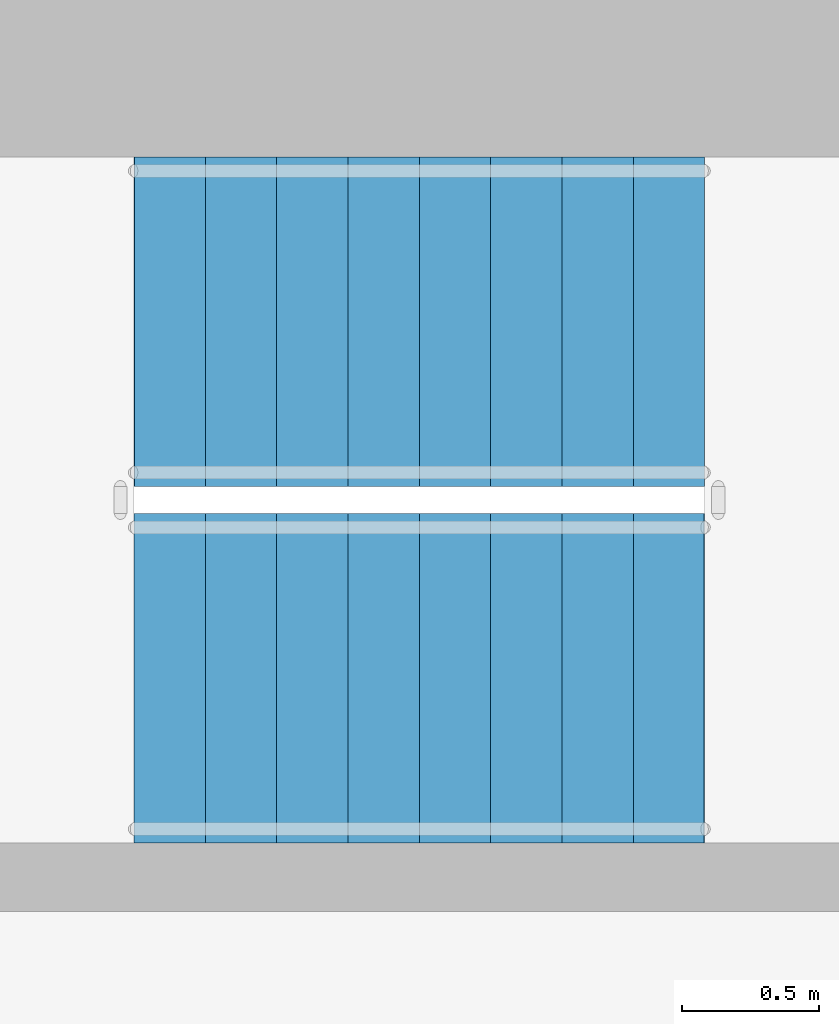
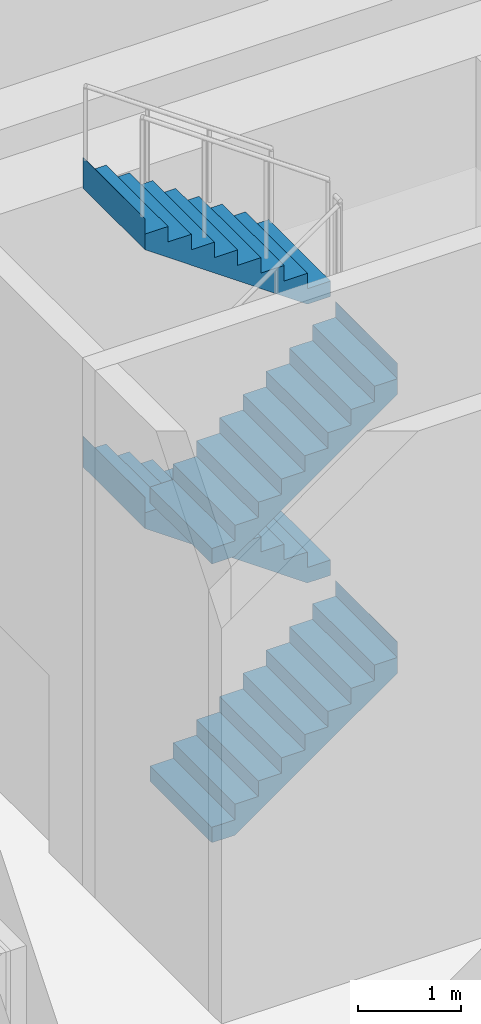
# One storey, part 28 of 33: 4 stair flights, 1 element without a shape of its own.
"""IFC4 building model written with IfcOpenShell, lengths in metres."""

from ifc_helpers import new_model, si_unit, direction, frame, origin, place, context, subcontext, project, spatial, triangles, material, type_object, element, aggregate, save


model = new_model("IFC4")

# Units and contexts
model_context = context("Model", 3, precision=1e-05, world=origin(), true_north=direction((0.0, 1.0)))
body_context = subcontext(model_context, "Body", "Model", "MODEL_VIEW")
ifc_project = project(units=[si_unit("LENGTHUNIT", "METRE"), si_unit("AREAUNIT", "SQUARE_METRE"), si_unit("VOLUMEUNIT", "CUBIC_METRE"), si_unit("PLANEANGLEUNIT", "RADIAN"), si_unit("MASSUNIT", "GRAM", prefix="KILO")], contexts=[model_context])

# Site, building, storey
site_placement = place(None, origin())
site = spatial("IfcSite", under=ifc_project, at=site_placement, CompositionType="ELEMENT")
building_placement = place(site_placement, origin())
building = spatial("IfcBuilding", under=site, at=building_placement, Name="Sahrelin Media Tower", CompositionType="ELEMENT")
storey_placement = place(building_placement, frame((0.0, 0.0, 37.39990234375)))
storey = spatial("IfcBuildingStorey", under=building, at=storey_placement, Name="L05", CompositionType="ELEMENT", Elevation=37.39990234375)

# Stair, stair flights
ifc_material = material(Name="Concrete C40/50", Category="concrete")
stair_type = type_object("IfcStairType", Name="Exit stair 1200", PredefinedType="HALF_TURN_STAIR", material=ifc_material)
stair_placement = place(storey_placement, origin())
stair = element("IfcStair", 1, at=stair_placement, inside=storey, type_object=stair_type, Name="L05 Exit stair ST1", PredefinedType="HALF_TURN_STAIR")
stair_flight_type = type_object("IfcStairFlightType", Name="Stair flight 1200", PredefinedType="STRAIGHT", material=ifc_material)
stair_flight_1_placement = place(storey_placement, frame((-7.675048828125, 4.699951171875, 0.0), z_axis=(0.0, 0.0, 1.0), x_axis=(1.0, 0.0, 0.0)))
stair_flight_1 = element("IfcStairFlight", 2, at=stair_flight_1_placement, type_object=stair_flight_type, Name="ST1 flight 1", NumberOfRisers=9, NumberOfTreads=8, PredefinedType="STRAIGHT", RiserHeight=0.183333333, TreadLength=0.26, context=body_context, shape_type="Tessellation", body=[
    triangles([(0.260009765625, 0.60009765625, 0.0), (0.260009765625, 0.300048828125, 0.0), (0.260009765625, 0.0, 0.0), (0.260009765625, -0.300048828125, 0.0), (0.260009765625, -0.60009765625, 0.0), (2.080078125, 0.60009765625, 1.283203125), (2.080078125, 0.300048828125, 1.283203125), (2.080078125, 0.0, 1.283203125), (2.080078125, -0.300048828125, 1.283203125), (2.080078125, -0.60009765625, 1.283203125), (2.080078125, 0.60009765625, 1.64990234375), (2.080078125, 0.300048828125, 1.64990234375), (2.080078125, 0.0, 1.64990234375), (2.080078125, -0.300048828125, 1.64990234375), (2.080078125, -0.60009765625, 1.64990234375), (2.077880859375, 0.60009765625, 1.64990234375), (2.077880859375, 0.300048828125, 1.64990234375), (2.077880859375, 0.0, 1.64990234375), (2.077880859375, -0.300048828125, 1.64990234375), (2.077880859375, -0.60009765625, 1.64990234375), (2.077880859375, 0.60009765625, 1.466552734375), (2.077880859375, 0.300048828125, 1.466552734375), (2.077880859375, 0.0, 1.466552734375), (2.077880859375, -0.300048828125, 1.466552734375), (2.077880859375, -0.60009765625, 1.466552734375), (1.820068359375, 0.60009765625, 1.466552734375), (1.820068359375, 0.300048828125, 1.466552734375), (1.820068359375, 0.0, 1.466552734375), (1.820068359375, -0.300048828125, 1.466552734375), (1.820068359375, -0.60009765625, 1.466552734375), (1.820068359375, 0.60009765625, 1.283447265625), (1.820068359375, 0.300048828125, 1.283447265625), (1.820068359375, 0.0, 1.283447265625), (1.820068359375, -0.300048828125, 1.283447265625), (1.820068359375, -0.60009765625, 1.283447265625), (1.56005859375, 0.60009765625, 1.283447265625), (1.56005859375, 0.300048828125, 1.283447265625), (1.56005859375, 0.0, 1.283447265625), (1.56005859375, -0.300048828125, 1.283447265625), (1.56005859375, -0.60009765625, 1.283447265625), (1.56005859375, 0.60009765625, 1.10009765625), (1.56005859375, 0.300048828125, 1.10009765625), (1.56005859375, 0.0, 1.10009765625), (1.56005859375, -0.300048828125, 1.10009765625), (1.56005859375, -0.60009765625, 1.10009765625), (1.300048828125, 0.60009765625, 1.10009765625), (1.300048828125, 0.300048828125, 1.10009765625), (1.300048828125, 0.0, 1.10009765625), (1.300048828125, -0.300048828125, 1.10009765625), (1.300048828125, -0.60009765625, 1.10009765625), (1.300048828125, 0.60009765625, 0.916748046875), (1.300048828125, 0.300048828125, 0.916748046875), (1.300048828125, 0.0, 0.916748046875), (1.300048828125, -0.300048828125, 0.916748046875), (1.300048828125, -0.60009765625, 0.916748046875), (1.0400390625, 0.60009765625, 0.916748046875), (1.0400390625, 0.300048828125, 0.916748046875), (1.0400390625, 0.0, 0.916748046875), (1.0400390625, -0.300048828125, 0.916748046875), (1.0400390625, -0.60009765625, 0.916748046875), (1.0400390625, 0.60009765625, 0.7333984375), (1.0400390625, 0.300048828125, 0.7333984375), (1.0400390625, 0.0, 0.7333984375), (1.0400390625, -0.300048828125, 0.7333984375), (1.0400390625, -0.60009765625, 0.7333984375), (0.780029296875, 0.60009765625, 0.7333984375), (0.780029296875, 0.300048828125, 0.7333984375), (0.780029296875, 0.0, 0.7333984375), (0.780029296875, -0.300048828125, 0.7333984375), (0.780029296875, -0.60009765625, 0.7333984375), (0.780029296875, 0.60009765625, 0.550048828125), (0.780029296875, 0.300048828125, 0.550048828125), (0.780029296875, 0.0, 0.550048828125), (0.780029296875, -0.300048828125, 0.550048828125), (0.780029296875, -0.60009765625, 0.550048828125), (0.52001953125, 0.60009765625, 0.550048828125), (0.52001953125, 0.300048828125, 0.550048828125), (0.52001953125, 0.0, 0.550048828125), (0.52001953125, -0.300048828125, 0.550048828125), (0.52001953125, -0.60009765625, 0.550048828125), (0.52001953125, 0.60009765625, 0.36669921875), (0.52001953125, 0.300048828125, 0.36669921875), (0.52001953125, 0.0, 0.36669921875), (0.52001953125, -0.300048828125, 0.36669921875), (0.52001953125, -0.60009765625, 0.36669921875), (0.260009765625, 0.60009765625, 0.36669921875), (0.260009765625, 0.300048828125, 0.36669921875), (0.260009765625, 0.0, 0.36669921875), (0.260009765625, -0.300048828125, 0.36669921875), (0.260009765625, -0.60009765625, 0.36669921875), (0.260009765625, 0.60009765625, 0.183349609375), (0.260009765625, 0.300048828125, 0.183349609375), (0.260009765625, 0.0, 0.183349609375), (0.260009765625, -0.300048828125, 0.183349609375), (0.260009765625, -0.60009765625, 0.183349609375), (0.0, 0.60009765625, 0.183349609375), (0.0, 0.300048828125, 0.183349609375), (0.0, 0.0, 0.183349609375), (0.0, -0.300048828125, 0.183349609375), (0.0, -0.60009765625, 0.183349609375), (0.0, 0.60009765625, 0.0), (0.0, 0.300048828125, 0.0), (0.0, 0.0, 0.0), (0.0, -0.300048828125, 0.0), (0.0, -0.60009765625, 0.0)], [[1, 6, 7], [1, 7, 2], [2, 7, 8], [2, 8, 3], [3, 8, 9], [3, 9, 4], [4, 9, 10], [4, 10, 5], [6, 11, 12], [6, 12, 7], [7, 12, 13], [7, 13, 8], [8, 13, 14], [8, 14, 9], [9, 14, 15], [9, 15, 10], [11, 16, 17], [11, 17, 12], [12, 17, 18], [12, 18, 13], [13, 18, 19], [13, 19, 14], [14, 19, 20], [14, 20, 15], [16, 21, 22], [16, 22, 17], [17, 22, 23], [17, 23, 18], [18, 23, 24], [18, 24, 19], [19, 24, 25], [19, 25, 20], [21, 26, 27], [21, 27, 22], [22, 27, 28], [22, 28, 23], [23, 28, 29], [23, 29, 24], [24, 29, 30], [24, 30, 25], [26, 31, 32], [26, 32, 27], [27, 32, 33], [27, 33, 28], [28, 33, 34], [28, 34, 29], [29, 34, 35], [29, 35, 30], [31, 36, 37], [31, 37, 32], [32, 37, 38], [32, 38, 33], [33, 38, 39], [33, 39, 34], [34, 39, 40], [34, 40, 35], [36, 41, 42], [36, 42, 37], [37, 42, 43], [37, 43, 38], [38, 43, 44], [38, 44, 39], [39, 44, 45], [39, 45, 40], [41, 46, 47], [41, 47, 42], [42, 47, 48], [42, 48, 43], [43, 48, 49], [43, 49, 44], [44, 49, 50], [44, 50, 45], [46, 51, 52], [46, 52, 47], [47, 52, 53], [47, 53, 48], [48, 53, 54], [48, 54, 49], [49, 54, 55], [49, 55, 50], [51, 56, 57], [51, 57, 52], [52, 57, 58], [52, 58, 53], [53, 58, 59], [53, 59, 54], [54, 59, 60], [54, 60, 55], [56, 61, 62], [56, 62, 57], [57, 62, 63], [57, 63, 58], [58, 63, 64], [58, 64, 59], [59, 64, 65], [59, 65, 60], [61, 66, 67], [61, 67, 62], [62, 67, 68], [62, 68, 63], [63, 68, 69], [63, 69, 64], [64, 69, 70], [64, 70, 65], [66, 71, 72], [66, 72, 67], [67, 72, 73], [67, 73, 68], [68, 73, 74], [68, 74, 69], [69, 74, 75], [69, 75, 70], [71, 76, 77], [71, 77, 72], [72, 77, 78], [72, 78, 73], [73, 78, 79], [73, 79, 74], [74, 79, 80], [74, 80, 75], [76, 81, 82], [76, 82, 77], [77, 82, 83], [77, 83, 78], [78, 83, 84], [78, 84, 79], [79, 84, 85], [79, 85, 80], [81, 86, 87], [81, 87, 82], [82, 87, 88], [82, 88, 83], [83, 88, 89], [83, 89, 84], [84, 89, 90], [84, 90, 85], [86, 91, 92], [86, 92, 87], [87, 92, 93], [87, 93, 88], [88, 93, 94], [88, 94, 89], [89, 94, 95], [89, 95, 90], [91, 96, 97], [91, 97, 92], [92, 97, 98], [92, 98, 93], [93, 98, 99], [93, 99, 94], [94, 99, 100], [94, 100, 95], [96, 101, 102], [96, 102, 97], [97, 102, 103], [97, 103, 98], [98, 103, 104], [98, 104, 99], [99, 104, 105], [99, 105, 100], [101, 1, 2], [101, 2, 102], [102, 2, 3], [102, 3, 103], [103, 3, 4], [103, 4, 104], [104, 4, 5], [104, 5, 105], [95, 100, 105], [91, 101, 96], [95, 85, 90], [91, 86, 81], [85, 75, 80], [81, 76, 71], [75, 65, 70], [71, 66, 61], [65, 55, 60], [61, 56, 51], [55, 45, 50], [51, 46, 41], [45, 35, 40], [41, 36, 31], [35, 25, 30], [31, 26, 21], [25, 15, 20], [21, 16, 11], [105, 5, 95], [101, 91, 1], [25, 10, 15], [21, 11, 6], [85, 95, 5], [81, 1, 91], [35, 10, 25], [31, 21, 6], [75, 85, 5], [71, 1, 81], [45, 10, 35], [41, 31, 6], [65, 75, 5], [61, 1, 71], [55, 10, 45], [51, 41, 6], [5, 10, 65], [1, 61, 6], [65, 10, 55], [61, 51, 6]], closed=True),
])
stair_flight_2_placement = place(storey_placement, frame((-5.594970703125, 6.0, 1.650146484375), z_axis=(0.0, 0.0, 1.0), x_axis=(-1.0, 0.0, 0.0)))
stair_flight_2 = element("IfcStairFlight", 3, at=stair_flight_2_placement, type_object=stair_flight_type, Name="ST1 flight 2", NumberOfRisers=9, NumberOfTreads=8, PredefinedType="STRAIGHT", RiserHeight=0.183333333, TreadLength=0.26, context=body_context, shape_type="Tessellation", body=[
    triangles([(0.260009765625, 0.60009765625, 0.0), (0.260009765625, 0.300048828125, 0.0), (0.260009765625, 0.0, 0.0), (0.260009765625, -0.300048828125, 0.0), (0.260009765625, -0.60009765625, 0.0), (2.080078125, 0.60009765625, 1.283203125), (2.080078125, 0.300048828125, 1.283203125), (2.080078125, 0.0, 1.283203125), (2.080078125, -0.300048828125, 1.283203125), (2.080078125, -0.60009765625, 1.283203125), (2.080078125, 0.60009765625, 1.64990234375), (2.080078125, 0.300048828125, 1.64990234375), (2.080078125, 0.0, 1.64990234375), (2.080078125, -0.300048828125, 1.64990234375), (2.080078125, -0.60009765625, 1.64990234375), (2.077880859375, 0.60009765625, 1.64990234375), (2.077880859375, 0.300048828125, 1.64990234375), (2.077880859375, 0.0, 1.64990234375), (2.077880859375, -0.300048828125, 1.64990234375), (2.077880859375, -0.60009765625, 1.64990234375), (2.077880859375, 0.60009765625, 1.466552734375), (2.077880859375, 0.300048828125, 1.466552734375), (2.077880859375, 0.0, 1.466552734375), (2.077880859375, -0.300048828125, 1.466552734375), (2.077880859375, -0.60009765625, 1.466552734375), (1.820068359375, 0.60009765625, 1.466552734375), (1.820068359375, 0.300048828125, 1.466552734375), (1.820068359375, 0.0, 1.466552734375), (1.820068359375, -0.300048828125, 1.466552734375), (1.820068359375, -0.60009765625, 1.466552734375), (1.820068359375, 0.60009765625, 1.283447265625), (1.820068359375, 0.300048828125, 1.283447265625), (1.820068359375, 0.0, 1.283447265625), (1.820068359375, -0.300048828125, 1.283447265625), (1.820068359375, -0.60009765625, 1.283447265625), (1.56005859375, 0.60009765625, 1.283447265625), (1.56005859375, 0.300048828125, 1.283447265625), (1.56005859375, 0.0, 1.283447265625), (1.56005859375, -0.300048828125, 1.283447265625), (1.56005859375, -0.60009765625, 1.283447265625), (1.56005859375, 0.60009765625, 1.10009765625), (1.56005859375, 0.300048828125, 1.10009765625), (1.56005859375, 0.0, 1.10009765625), (1.56005859375, -0.300048828125, 1.10009765625), (1.56005859375, -0.60009765625, 1.10009765625), (1.300048828125, 0.60009765625, 1.10009765625), (1.300048828125, 0.300048828125, 1.10009765625), (1.300048828125, 0.0, 1.10009765625), (1.300048828125, -0.300048828125, 1.10009765625), (1.300048828125, -0.60009765625, 1.10009765625), (1.300048828125, 0.60009765625, 0.916748046875), (1.300048828125, 0.300048828125, 0.916748046875), (1.300048828125, 0.0, 0.916748046875), (1.300048828125, -0.300048828125, 0.916748046875), (1.300048828125, -0.60009765625, 0.916748046875), (1.0400390625, 0.60009765625, 0.916748046875), (1.0400390625, 0.300048828125, 0.916748046875), (1.0400390625, 0.0, 0.916748046875), (1.0400390625, -0.300048828125, 0.916748046875), (1.0400390625, -0.60009765625, 0.916748046875), (1.0400390625, 0.60009765625, 0.7333984375), (1.0400390625, 0.300048828125, 0.7333984375), (1.0400390625, 0.0, 0.7333984375), (1.0400390625, -0.300048828125, 0.7333984375), (1.0400390625, -0.60009765625, 0.7333984375), (0.780029296875, 0.60009765625, 0.7333984375), (0.780029296875, 0.300048828125, 0.7333984375), (0.780029296875, 0.0, 0.7333984375), (0.780029296875, -0.300048828125, 0.7333984375), (0.780029296875, -0.60009765625, 0.7333984375), (0.780029296875, 0.60009765625, 0.550048828125), (0.780029296875, 0.300048828125, 0.550048828125), (0.780029296875, 0.0, 0.550048828125), (0.780029296875, -0.300048828125, 0.550048828125), (0.780029296875, -0.60009765625, 0.550048828125), (0.52001953125, 0.60009765625, 0.550048828125), (0.52001953125, 0.300048828125, 0.550048828125), (0.52001953125, 0.0, 0.550048828125), (0.52001953125, -0.300048828125, 0.550048828125), (0.52001953125, -0.60009765625, 0.550048828125), (0.52001953125, 0.60009765625, 0.36669921875), (0.52001953125, 0.300048828125, 0.36669921875), (0.52001953125, 0.0, 0.36669921875), (0.52001953125, -0.300048828125, 0.36669921875), (0.52001953125, -0.60009765625, 0.36669921875), (0.260009765625, 0.60009765625, 0.36669921875), (0.260009765625, 0.300048828125, 0.36669921875), (0.260009765625, 0.0, 0.36669921875), (0.260009765625, -0.300048828125, 0.36669921875), (0.260009765625, -0.60009765625, 0.36669921875), (0.260009765625, 0.60009765625, 0.183349609375), (0.260009765625, 0.300048828125, 0.183349609375), (0.260009765625, 0.0, 0.183349609375), (0.260009765625, -0.300048828125, 0.183349609375), (0.260009765625, -0.60009765625, 0.183349609375), (0.0, 0.60009765625, 0.183349609375), (0.0, 0.300048828125, 0.183349609375), (0.0, 0.0, 0.183349609375), (0.0, -0.300048828125, 0.183349609375), (0.0, -0.60009765625, 0.183349609375), (0.0, 0.60009765625, 0.0), (0.0, 0.300048828125, 0.0), (0.0, 0.0, 0.0), (0.0, -0.300048828125, 0.0), (0.0, -0.60009765625, 0.0)], [[1, 6, 7], [1, 7, 2], [2, 7, 8], [2, 8, 3], [3, 8, 9], [3, 9, 4], [4, 9, 10], [4, 10, 5], [6, 11, 12], [6, 12, 7], [7, 12, 13], [7, 13, 8], [8, 13, 14], [8, 14, 9], [9, 14, 15], [9, 15, 10], [11, 16, 17], [11, 17, 12], [12, 17, 18], [12, 18, 13], [13, 18, 19], [13, 19, 14], [14, 19, 20], [14, 20, 15], [16, 21, 22], [16, 22, 17], [17, 22, 23], [17, 23, 18], [18, 23, 24], [18, 24, 19], [19, 24, 25], [19, 25, 20], [21, 26, 27], [21, 27, 22], [22, 27, 28], [22, 28, 23], [23, 28, 29], [23, 29, 24], [24, 29, 30], [24, 30, 25], [26, 31, 32], [26, 32, 27], [27, 32, 33], [27, 33, 28], [28, 33, 34], [28, 34, 29], [29, 34, 35], [29, 35, 30], [31, 36, 37], [31, 37, 32], [32, 37, 38], [32, 38, 33], [33, 38, 39], [33, 39, 34], [34, 39, 40], [34, 40, 35], [36, 41, 42], [36, 42, 37], [37, 42, 43], [37, 43, 38], [38, 43, 44], [38, 44, 39], [39, 44, 45], [39, 45, 40], [41, 46, 47], [41, 47, 42], [42, 47, 48], [42, 48, 43], [43, 48, 49], [43, 49, 44], [44, 49, 50], [44, 50, 45], [46, 51, 52], [46, 52, 47], [47, 52, 53], [47, 53, 48], [48, 53, 54], [48, 54, 49], [49, 54, 55], [49, 55, 50], [51, 56, 57], [51, 57, 52], [52, 57, 58], [52, 58, 53], [53, 58, 59], [53, 59, 54], [54, 59, 60], [54, 60, 55], [56, 61, 62], [56, 62, 57], [57, 62, 63], [57, 63, 58], [58, 63, 64], [58, 64, 59], [59, 64, 65], [59, 65, 60], [61, 66, 67], [61, 67, 62], [62, 67, 68], [62, 68, 63], [63, 68, 69], [63, 69, 64], [64, 69, 70], [64, 70, 65], [66, 71, 72], [66, 72, 67], [67, 72, 73], [67, 73, 68], [68, 73, 74], [68, 74, 69], [69, 74, 75], [69, 75, 70], [71, 76, 77], [71, 77, 72], [72, 77, 78], [72, 78, 73], [73, 78, 79], [73, 79, 74], [74, 79, 80], [74, 80, 75], [76, 81, 82], [76, 82, 77], [77, 82, 83], [77, 83, 78], [78, 83, 84], [78, 84, 79], [79, 84, 85], [79, 85, 80], [81, 86, 87], [81, 87, 82], [82, 87, 88], [82, 88, 83], [83, 88, 89], [83, 89, 84], [84, 89, 90], [84, 90, 85], [86, 91, 92], [86, 92, 87], [87, 92, 93], [87, 93, 88], [88, 93, 94], [88, 94, 89], [89, 94, 95], [89, 95, 90], [91, 96, 97], [91, 97, 92], [92, 97, 98], [92, 98, 93], [93, 98, 99], [93, 99, 94], [94, 99, 100], [94, 100, 95], [96, 101, 102], [96, 102, 97], [97, 102, 103], [97, 103, 98], [98, 103, 104], [98, 104, 99], [99, 104, 105], [99, 105, 100], [101, 1, 2], [101, 2, 102], [102, 2, 3], [102, 3, 103], [103, 3, 4], [103, 4, 104], [104, 4, 5], [104, 5, 105], [95, 100, 105], [91, 101, 96], [95, 85, 90], [91, 86, 81], [85, 75, 80], [81, 76, 71], [75, 65, 70], [71, 66, 61], [65, 55, 60], [61, 56, 51], [55, 45, 50], [51, 46, 41], [45, 35, 40], [41, 36, 31], [35, 25, 30], [31, 26, 21], [25, 15, 20], [21, 16, 11], [105, 5, 95], [101, 91, 1], [25, 10, 15], [21, 11, 6], [85, 95, 5], [81, 1, 91], [35, 10, 25], [31, 21, 6], [75, 85, 5], [71, 1, 81], [45, 10, 35], [41, 31, 6], [65, 75, 5], [61, 1, 71], [55, 10, 45], [51, 41, 6], [5, 10, 65], [1, 61, 6], [65, 10, 55], [61, 51, 6]], closed=True),
])
stair_flight_3_placement = place(storey_placement, frame((-7.675048828125, 4.699951171875, 3.300048828125), z_axis=(0.0, 0.0, 1.0), x_axis=(1.0, 0.0, 0.0)))
stair_flight_3 = element("IfcStairFlight", 4, at=stair_flight_3_placement, type_object=stair_flight_type, Name="ST1 flight 3", NumberOfRisers=9, NumberOfTreads=8, PredefinedType="STRAIGHT", RiserHeight=0.183333333, TreadLength=0.26, context=body_context, shape_type="Tessellation", body=[
    triangles([(0.260009765625, 0.60009765625, 0.0), (0.260009765625, 0.300048828125, 0.0), (0.260009765625, 0.0, 0.0), (0.260009765625, -0.300048828125, 0.0), (0.260009765625, -0.60009765625, 0.0), (2.080078125, 0.60009765625, 1.283203125), (2.080078125, 0.300048828125, 1.283203125), (2.080078125, 0.0, 1.283203125), (2.080078125, -0.300048828125, 1.283203125), (2.080078125, -0.60009765625, 1.283203125), (2.080078125, 0.60009765625, 1.64990234375), (2.080078125, 0.300048828125, 1.64990234375), (2.080078125, 0.0, 1.64990234375), (2.080078125, -0.300048828125, 1.64990234375), (2.080078125, -0.60009765625, 1.64990234375), (2.077880859375, 0.60009765625, 1.64990234375), (2.077880859375, 0.300048828125, 1.64990234375), (2.077880859375, 0.0, 1.64990234375), (2.077880859375, -0.300048828125, 1.64990234375), (2.077880859375, -0.60009765625, 1.64990234375), (2.077880859375, 0.60009765625, 1.466552734375), (2.077880859375, 0.300048828125, 1.466552734375), (2.077880859375, 0.0, 1.466552734375), (2.077880859375, -0.300048828125, 1.466552734375), (2.077880859375, -0.60009765625, 1.466552734375), (1.820068359375, 0.60009765625, 1.466552734375), (1.820068359375, 0.300048828125, 1.466552734375), (1.820068359375, 0.0, 1.466552734375), (1.820068359375, -0.300048828125, 1.466552734375), (1.820068359375, -0.60009765625, 1.466552734375), (1.820068359375, 0.60009765625, 1.283447265625), (1.820068359375, 0.300048828125, 1.283447265625), (1.820068359375, 0.0, 1.283447265625), (1.820068359375, -0.300048828125, 1.283447265625), (1.820068359375, -0.60009765625, 1.283447265625), (1.56005859375, 0.60009765625, 1.283447265625), (1.56005859375, 0.300048828125, 1.283447265625), (1.56005859375, 0.0, 1.283447265625), (1.56005859375, -0.300048828125, 1.283447265625), (1.56005859375, -0.60009765625, 1.283447265625), (1.56005859375, 0.60009765625, 1.10009765625), (1.56005859375, 0.300048828125, 1.10009765625), (1.56005859375, 0.0, 1.10009765625), (1.56005859375, -0.300048828125, 1.10009765625), (1.56005859375, -0.60009765625, 1.10009765625), (1.300048828125, 0.60009765625, 1.10009765625), (1.300048828125, 0.300048828125, 1.10009765625), (1.300048828125, 0.0, 1.10009765625), (1.300048828125, -0.300048828125, 1.10009765625), (1.300048828125, -0.60009765625, 1.10009765625), (1.300048828125, 0.60009765625, 0.916748046875), (1.300048828125, 0.300048828125, 0.916748046875), (1.300048828125, 0.0, 0.916748046875), (1.300048828125, -0.300048828125, 0.916748046875), (1.300048828125, -0.60009765625, 0.916748046875), (1.0400390625, 0.60009765625, 0.916748046875), (1.0400390625, 0.300048828125, 0.916748046875), (1.0400390625, 0.0, 0.916748046875), (1.0400390625, -0.300048828125, 0.916748046875), (1.0400390625, -0.60009765625, 0.916748046875), (1.0400390625, 0.60009765625, 0.7333984375), (1.0400390625, 0.300048828125, 0.7333984375), (1.0400390625, 0.0, 0.7333984375), (1.0400390625, -0.300048828125, 0.7333984375), (1.0400390625, -0.60009765625, 0.7333984375), (0.780029296875, 0.60009765625, 0.7333984375), (0.780029296875, 0.300048828125, 0.7333984375), (0.780029296875, 0.0, 0.7333984375), (0.780029296875, -0.300048828125, 0.7333984375), (0.780029296875, -0.60009765625, 0.7333984375), (0.780029296875, 0.60009765625, 0.550048828125), (0.780029296875, 0.300048828125, 0.550048828125), (0.780029296875, 0.0, 0.550048828125), (0.780029296875, -0.300048828125, 0.550048828125), (0.780029296875, -0.60009765625, 0.550048828125), (0.52001953125, 0.60009765625, 0.550048828125), (0.52001953125, 0.300048828125, 0.550048828125), (0.52001953125, 0.0, 0.550048828125), (0.52001953125, -0.300048828125, 0.550048828125), (0.52001953125, -0.60009765625, 0.550048828125), (0.52001953125, 0.60009765625, 0.36669921875), (0.52001953125, 0.300048828125, 0.36669921875), (0.52001953125, 0.0, 0.36669921875), (0.52001953125, -0.300048828125, 0.36669921875), (0.52001953125, -0.60009765625, 0.36669921875), (0.260009765625, 0.60009765625, 0.36669921875), (0.260009765625, 0.300048828125, 0.36669921875), (0.260009765625, 0.0, 0.36669921875), (0.260009765625, -0.300048828125, 0.36669921875), (0.260009765625, -0.60009765625, 0.36669921875), (0.260009765625, 0.60009765625, 0.183349609375), (0.260009765625, 0.300048828125, 0.183349609375), (0.260009765625, 0.0, 0.183349609375), (0.260009765625, -0.300048828125, 0.183349609375), (0.260009765625, -0.60009765625, 0.183349609375), (0.0, 0.60009765625, 0.183349609375), (0.0, 0.300048828125, 0.183349609375), (0.0, 0.0, 0.183349609375), (0.0, -0.300048828125, 0.183349609375), (0.0, -0.60009765625, 0.183349609375), (0.0, 0.60009765625, 0.0), (0.0, 0.300048828125, 0.0), (0.0, 0.0, 0.0), (0.0, -0.300048828125, 0.0), (0.0, -0.60009765625, 0.0)], [[1, 6, 7], [1, 7, 2], [2, 7, 8], [2, 8, 3], [3, 8, 9], [3, 9, 4], [4, 9, 10], [4, 10, 5], [6, 11, 12], [6, 12, 7], [7, 12, 13], [7, 13, 8], [8, 13, 14], [8, 14, 9], [9, 14, 15], [9, 15, 10], [11, 16, 17], [11, 17, 12], [12, 17, 18], [12, 18, 13], [13, 18, 19], [13, 19, 14], [14, 19, 20], [14, 20, 15], [16, 21, 22], [16, 22, 17], [17, 22, 23], [17, 23, 18], [18, 23, 24], [18, 24, 19], [19, 24, 25], [19, 25, 20], [21, 26, 27], [21, 27, 22], [22, 27, 28], [22, 28, 23], [23, 28, 29], [23, 29, 24], [24, 29, 30], [24, 30, 25], [26, 31, 32], [26, 32, 27], [27, 32, 33], [27, 33, 28], [28, 33, 34], [28, 34, 29], [29, 34, 35], [29, 35, 30], [31, 36, 37], [31, 37, 32], [32, 37, 38], [32, 38, 33], [33, 38, 39], [33, 39, 34], [34, 39, 40], [34, 40, 35], [36, 41, 42], [36, 42, 37], [37, 42, 43], [37, 43, 38], [38, 43, 44], [38, 44, 39], [39, 44, 45], [39, 45, 40], [41, 46, 47], [41, 47, 42], [42, 47, 48], [42, 48, 43], [43, 48, 49], [43, 49, 44], [44, 49, 50], [44, 50, 45], [46, 51, 52], [46, 52, 47], [47, 52, 53], [47, 53, 48], [48, 53, 54], [48, 54, 49], [49, 54, 55], [49, 55, 50], [51, 56, 57], [51, 57, 52], [52, 57, 58], [52, 58, 53], [53, 58, 59], [53, 59, 54], [54, 59, 60], [54, 60, 55], [56, 61, 62], [56, 62, 57], [57, 62, 63], [57, 63, 58], [58, 63, 64], [58, 64, 59], [59, 64, 65], [59, 65, 60], [61, 66, 67], [61, 67, 62], [62, 67, 68], [62, 68, 63], [63, 68, 69], [63, 69, 64], [64, 69, 70], [64, 70, 65], [66, 71, 72], [66, 72, 67], [67, 72, 73], [67, 73, 68], [68, 73, 74], [68, 74, 69], [69, 74, 75], [69, 75, 70], [71, 76, 77], [71, 77, 72], [72, 77, 78], [72, 78, 73], [73, 78, 79], [73, 79, 74], [74, 79, 80], [74, 80, 75], [76, 81, 82], [76, 82, 77], [77, 82, 83], [77, 83, 78], [78, 83, 84], [78, 84, 79], [79, 84, 85], [79, 85, 80], [81, 86, 87], [81, 87, 82], [82, 87, 88], [82, 88, 83], [83, 88, 89], [83, 89, 84], [84, 89, 90], [84, 90, 85], [86, 91, 92], [86, 92, 87], [87, 92, 93], [87, 93, 88], [88, 93, 94], [88, 94, 89], [89, 94, 95], [89, 95, 90], [91, 96, 97], [91, 97, 92], [92, 97, 98], [92, 98, 93], [93, 98, 99], [93, 99, 94], [94, 99, 100], [94, 100, 95], [96, 101, 102], [96, 102, 97], [97, 102, 103], [97, 103, 98], [98, 103, 104], [98, 104, 99], [99, 104, 105], [99, 105, 100], [101, 1, 2], [101, 2, 102], [102, 2, 3], [102, 3, 103], [103, 3, 4], [103, 4, 104], [104, 4, 5], [104, 5, 105], [95, 100, 105], [91, 101, 96], [95, 85, 90], [91, 86, 81], [85, 75, 80], [81, 76, 71], [75, 65, 70], [71, 66, 61], [65, 55, 60], [61, 56, 51], [55, 45, 50], [51, 46, 41], [45, 35, 40], [41, 36, 31], [35, 25, 30], [31, 26, 21], [25, 15, 20], [21, 16, 11], [105, 5, 95], [101, 91, 1], [25, 10, 15], [21, 11, 6], [85, 95, 5], [81, 1, 91], [35, 10, 25], [31, 21, 6], [75, 85, 5], [71, 1, 81], [45, 10, 35], [41, 31, 6], [65, 75, 5], [61, 1, 71], [55, 10, 45], [51, 41, 6], [5, 10, 65], [1, 61, 6], [65, 10, 55], [61, 51, 6]], closed=True),
])
stair_flight_4_placement = place(storey_placement, frame((-5.594970703125, 6.0, 4.9501953125), z_axis=(0.0, 0.0, 1.0), x_axis=(-1.0, 0.0, 0.0)))
stair_flight_4 = element("IfcStairFlight", 5, at=stair_flight_4_placement, type_object=stair_flight_type, Name="ST1 flight 4", NumberOfRisers=9, NumberOfTreads=8, PredefinedType="STRAIGHT", RiserHeight=0.183333333, TreadLength=0.26, context=body_context, shape_type="Tessellation", body=[
    triangles([(0.260009765625, 0.60009765625, 0.0), (0.260009765625, 0.300048828125, 0.0), (0.260009765625, 0.0, 0.0), (0.260009765625, -0.300048828125, 0.0), (0.260009765625, -0.60009765625, 0.0), (2.080078125, 0.60009765625, 1.283203125), (2.080078125, 0.300048828125, 1.283203125), (2.080078125, 0.0, 1.283203125), (2.080078125, -0.300048828125, 1.283203125), (2.080078125, -0.60009765625, 1.283203125), (2.080078125, 0.60009765625, 1.64990234375), (2.080078125, 0.300048828125, 1.64990234375), (2.080078125, 0.0, 1.64990234375), (2.080078125, -0.300048828125, 1.64990234375), (2.080078125, -0.60009765625, 1.64990234375), (2.077880859375, 0.60009765625, 1.64990234375), (2.077880859375, 0.300048828125, 1.64990234375), (2.077880859375, 0.0, 1.64990234375), (2.077880859375, -0.300048828125, 1.64990234375), (2.077880859375, -0.60009765625, 1.64990234375), (2.077880859375, 0.60009765625, 1.466552734375), (2.077880859375, 0.300048828125, 1.466552734375), (2.077880859375, 0.0, 1.466552734375), (2.077880859375, -0.300048828125, 1.466552734375), (2.077880859375, -0.60009765625, 1.466552734375), (1.820068359375, 0.60009765625, 1.466552734375), (1.820068359375, 0.300048828125, 1.466552734375), (1.820068359375, 0.0, 1.466552734375), (1.820068359375, -0.300048828125, 1.466552734375), (1.820068359375, -0.60009765625, 1.466552734375), (1.820068359375, 0.60009765625, 1.283447265625), (1.820068359375, 0.300048828125, 1.283447265625), (1.820068359375, 0.0, 1.283447265625), (1.820068359375, -0.300048828125, 1.283447265625), (1.820068359375, -0.60009765625, 1.283447265625), (1.56005859375, 0.60009765625, 1.283447265625), (1.56005859375, 0.300048828125, 1.283447265625), (1.56005859375, 0.0, 1.283447265625), (1.56005859375, -0.300048828125, 1.283447265625), (1.56005859375, -0.60009765625, 1.283447265625), (1.56005859375, 0.60009765625, 1.10009765625), (1.56005859375, 0.300048828125, 1.10009765625), (1.56005859375, 0.0, 1.10009765625), (1.56005859375, -0.300048828125, 1.10009765625), (1.56005859375, -0.60009765625, 1.10009765625), (1.300048828125, 0.60009765625, 1.10009765625), (1.300048828125, 0.300048828125, 1.10009765625), (1.300048828125, 0.0, 1.10009765625), (1.300048828125, -0.300048828125, 1.10009765625), (1.300048828125, -0.60009765625, 1.10009765625), (1.300048828125, 0.60009765625, 0.916748046875), (1.300048828125, 0.300048828125, 0.916748046875), (1.300048828125, 0.0, 0.916748046875), (1.300048828125, -0.300048828125, 0.916748046875), (1.300048828125, -0.60009765625, 0.916748046875), (1.0400390625, 0.60009765625, 0.916748046875), (1.0400390625, 0.300048828125, 0.916748046875), (1.0400390625, 0.0, 0.916748046875), (1.0400390625, -0.300048828125, 0.916748046875), (1.0400390625, -0.60009765625, 0.916748046875), (1.0400390625, 0.60009765625, 0.7333984375), (1.0400390625, 0.300048828125, 0.7333984375), (1.0400390625, 0.0, 0.7333984375), (1.0400390625, -0.300048828125, 0.7333984375), (1.0400390625, -0.60009765625, 0.7333984375), (0.780029296875, 0.60009765625, 0.7333984375), (0.780029296875, 0.300048828125, 0.7333984375), (0.780029296875, 0.0, 0.7333984375), (0.780029296875, -0.300048828125, 0.7333984375), (0.780029296875, -0.60009765625, 0.7333984375), (0.780029296875, 0.60009765625, 0.550048828125), (0.780029296875, 0.300048828125, 0.550048828125), (0.780029296875, 0.0, 0.550048828125), (0.780029296875, -0.300048828125, 0.550048828125), (0.780029296875, -0.60009765625, 0.550048828125), (0.52001953125, 0.60009765625, 0.550048828125), (0.52001953125, 0.300048828125, 0.550048828125), (0.52001953125, 0.0, 0.550048828125), (0.52001953125, -0.300048828125, 0.550048828125), (0.52001953125, -0.60009765625, 0.550048828125), (0.52001953125, 0.60009765625, 0.36669921875), (0.52001953125, 0.300048828125, 0.36669921875), (0.52001953125, 0.0, 0.36669921875), (0.52001953125, -0.300048828125, 0.36669921875), (0.52001953125, -0.60009765625, 0.36669921875), (0.260009765625, 0.60009765625, 0.36669921875), (0.260009765625, 0.300048828125, 0.36669921875), (0.260009765625, 0.0, 0.36669921875), (0.260009765625, -0.300048828125, 0.36669921875), (0.260009765625, -0.60009765625, 0.36669921875), (0.260009765625, 0.60009765625, 0.183349609375), (0.260009765625, 0.300048828125, 0.183349609375), (0.260009765625, 0.0, 0.183349609375), (0.260009765625, -0.300048828125, 0.183349609375), (0.260009765625, -0.60009765625, 0.183349609375), (0.0, 0.60009765625, 0.183349609375), (0.0, 0.300048828125, 0.183349609375), (0.0, 0.0, 0.183349609375), (0.0, -0.300048828125, 0.183349609375), (0.0, -0.60009765625, 0.183349609375), (0.0, 0.60009765625, 0.0), (0.0, 0.300048828125, 0.0), (0.0, 0.0, 0.0), (0.0, -0.300048828125, 0.0), (0.0, -0.60009765625, 0.0)], [[1, 6, 7], [1, 7, 2], [2, 7, 8], [2, 8, 3], [3, 8, 9], [3, 9, 4], [4, 9, 10], [4, 10, 5], [6, 11, 12], [6, 12, 7], [7, 12, 13], [7, 13, 8], [8, 13, 14], [8, 14, 9], [9, 14, 15], [9, 15, 10], [11, 16, 17], [11, 17, 12], [12, 17, 18], [12, 18, 13], [13, 18, 19], [13, 19, 14], [14, 19, 20], [14, 20, 15], [16, 21, 22], [16, 22, 17], [17, 22, 23], [17, 23, 18], [18, 23, 24], [18, 24, 19], [19, 24, 25], [19, 25, 20], [21, 26, 27], [21, 27, 22], [22, 27, 28], [22, 28, 23], [23, 28, 29], [23, 29, 24], [24, 29, 30], [24, 30, 25], [26, 31, 32], [26, 32, 27], [27, 32, 33], [27, 33, 28], [28, 33, 34], [28, 34, 29], [29, 34, 35], [29, 35, 30], [31, 36, 37], [31, 37, 32], [32, 37, 38], [32, 38, 33], [33, 38, 39], [33, 39, 34], [34, 39, 40], [34, 40, 35], [36, 41, 42], [36, 42, 37], [37, 42, 43], [37, 43, 38], [38, 43, 44], [38, 44, 39], [39, 44, 45], [39, 45, 40], [41, 46, 47], [41, 47, 42], [42, 47, 48], [42, 48, 43], [43, 48, 49], [43, 49, 44], [44, 49, 50], [44, 50, 45], [46, 51, 52], [46, 52, 47], [47, 52, 53], [47, 53, 48], [48, 53, 54], [48, 54, 49], [49, 54, 55], [49, 55, 50], [51, 56, 57], [51, 57, 52], [52, 57, 58], [52, 58, 53], [53, 58, 59], [53, 59, 54], [54, 59, 60], [54, 60, 55], [56, 61, 62], [56, 62, 57], [57, 62, 63], [57, 63, 58], [58, 63, 64], [58, 64, 59], [59, 64, 65], [59, 65, 60], [61, 66, 67], [61, 67, 62], [62, 67, 68], [62, 68, 63], [63, 68, 69], [63, 69, 64], [64, 69, 70], [64, 70, 65], [66, 71, 72], [66, 72, 67], [67, 72, 73], [67, 73, 68], [68, 73, 74], [68, 74, 69], [69, 74, 75], [69, 75, 70], [71, 76, 77], [71, 77, 72], [72, 77, 78], [72, 78, 73], [73, 78, 79], [73, 79, 74], [74, 79, 80], [74, 80, 75], [76, 81, 82], [76, 82, 77], [77, 82, 83], [77, 83, 78], [78, 83, 84], [78, 84, 79], [79, 84, 85], [79, 85, 80], [81, 86, 87], [81, 87, 82], [82, 87, 88], [82, 88, 83], [83, 88, 89], [83, 89, 84], [84, 89, 90], [84, 90, 85], [86, 91, 92], [86, 92, 87], [87, 92, 93], [87, 93, 88], [88, 93, 94], [88, 94, 89], [89, 94, 95], [89, 95, 90], [91, 96, 97], [91, 97, 92], [92, 97, 98], [92, 98, 93], [93, 98, 99], [93, 99, 94], [94, 99, 100], [94, 100, 95], [96, 101, 102], [96, 102, 97], [97, 102, 103], [97, 103, 98], [98, 103, 104], [98, 104, 99], [99, 104, 105], [99, 105, 100], [101, 1, 2], [101, 2, 102], [102, 2, 3], [102, 3, 103], [103, 3, 4], [103, 4, 104], [104, 4, 5], [104, 5, 105], [95, 100, 105], [91, 101, 96], [95, 85, 90], [91, 86, 81], [85, 75, 80], [81, 76, 71], [75, 65, 70], [71, 66, 61], [65, 55, 60], [61, 56, 51], [55, 45, 50], [51, 46, 41], [45, 35, 40], [41, 36, 31], [35, 25, 30], [31, 26, 21], [25, 15, 20], [21, 16, 11], [105, 5, 95], [101, 91, 1], [25, 10, 15], [21, 11, 6], [85, 95, 5], [81, 1, 91], [35, 10, 25], [31, 21, 6], [75, 85, 5], [71, 1, 81], [45, 10, 35], [41, 31, 6], [65, 75, 5], [61, 1, 71], [55, 10, 45], [51, 41, 6], [5, 10, 65], [1, 61, 6], [65, 10, 55], [61, 51, 6]], closed=True),
])
aggregate(stair, [stair_flight_1, stair_flight_2, stair_flight_3, stair_flight_4])

save(model, "model.ifc")
